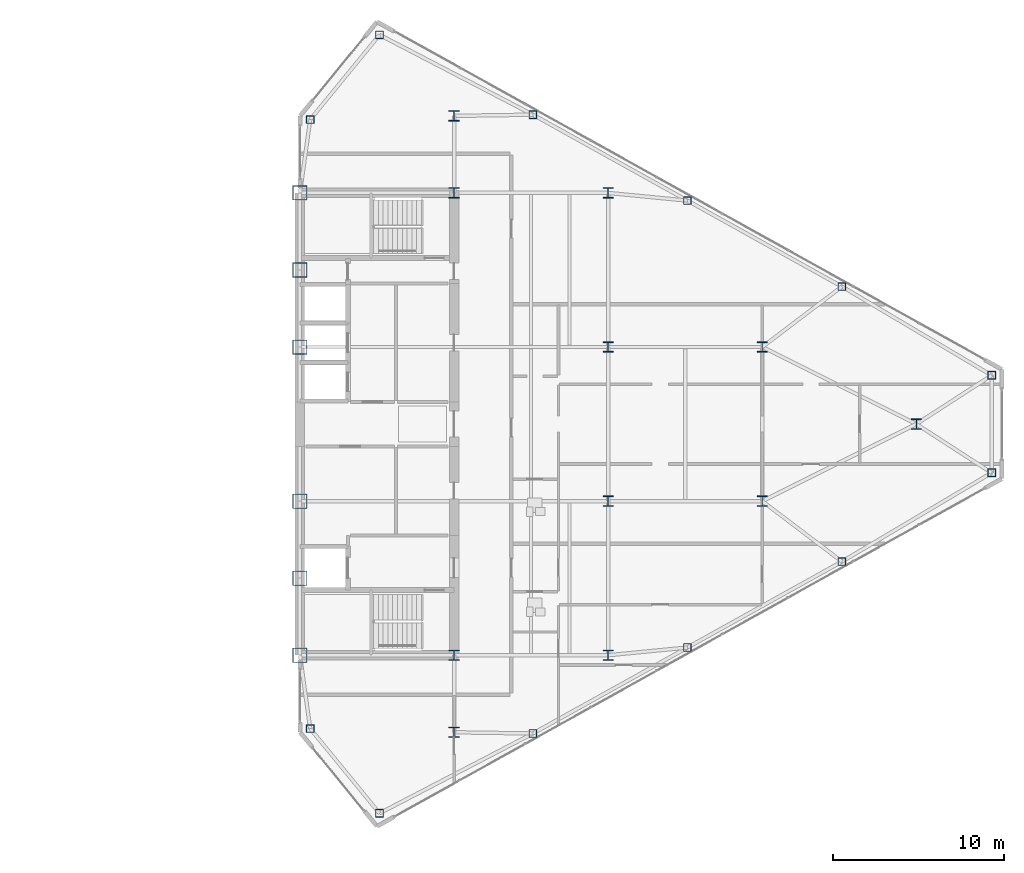
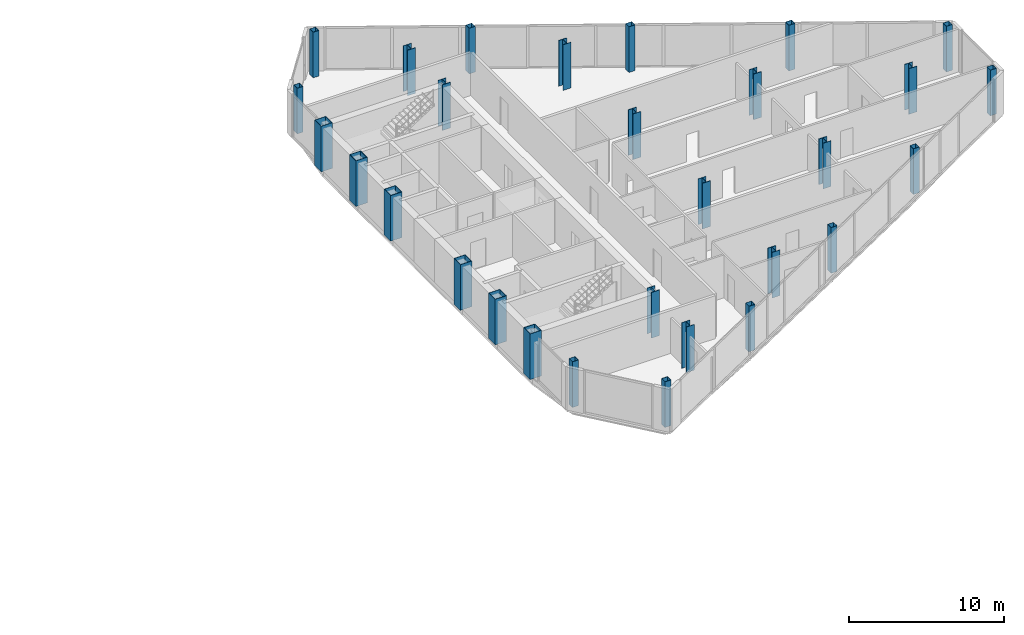
# One storey, part 2 of 26: 29 columns.
"""IFC4 building model written with IfcOpenShell, lengths in metres."""

from ifc_helpers import new_model, si_unit, direction, frame, origin, origin_2d, place, context, subcontext, project, spatial, hollow_rectangle, i_section, extrude, source, transform, mapped, material, material_profile, profile_set, type_object, type_shapes, element, save


model = new_model("IFC4")

# Units and contexts
model_context = context("Model", 3, precision=1e-05, world=origin(), true_north=direction((0.0, 1.0)))
body_context = subcontext(model_context, "Body", "Model", "MODEL_VIEW")
ifc_project = project(units=[si_unit("LENGTHUNIT", "METRE"), si_unit("AREAUNIT", "SQUARE_METRE"), si_unit("VOLUMEUNIT", "CUBIC_METRE"), si_unit("PLANEANGLEUNIT", "RADIAN"), si_unit("MASSUNIT", "GRAM", prefix="KILO")], contexts=[model_context])

# Site, building, storey
site_placement = place(None, origin())
site = spatial("IfcSite", under=ifc_project, at=site_placement, CompositionType="ELEMENT")
building_placement = place(site_placement, origin())
building = spatial("IfcBuilding", under=site, at=building_placement, Name="Seokmaru Belvedere", CompositionType="ELEMENT")
storey_placement = place(building_placement, frame((0.0, 0.0, 174.300048828125)))
storey = spatial("IfcBuildingStorey", under=building, at=storey_placement, Name="L46", CompositionType="ELEMENT", Elevation=174.300048828125)

# Columns
ifc_material_1 = material(Name="Steel SM355 (355 MPa)", Category="steel")
ifc_material_profile_1 = material_profile(ifc_material_1, hollow_rectangle(XDim=0.449951171875, YDim=0.449951171875, WallThickness=0.01806640625, at=origin_2d()), Name="HSS-450x450x18")
ifc_profile_set_1 = profile_set([ifc_material_profile_1], Name="Steel SM355 (355 MPa)")
column_type_1 = type_object("IfcColumnType", Name="Perimeter Facet Column HSS-450", PredefinedType="COLUMN", material=ifc_profile_set_1)
shared_shape_1 = source(origin(), body_context, "Body", "SweptSolid", [
    extrude(hollow_rectangle(XDim=0.449951171875, YDim=0.449951171875, WallThickness=0.01806640625, at=origin_2d()), origin(), (0.0, 0.0, 1.0), 3.599853515625),
])
type_shapes(column_type_1, [shared_shape_1])
for number, where, z_axis, x_axis, name in (
    (1, (32.146728515625, -22.731689453125, 0.0), (0.0, 0.0, 1.0), (1.0, 0.0, 0.0), "L46 Column EF1"),
    (2, (67.89990234375, -2.84716796875, 0.0), (0.0, 0.0, 1.0), (1.0, 0.0, 0.0), "L46 Column EF2"),
    (3, (67.89990234375, 2.84716796875, 0.0), (0.0, 0.0, 1.0), (1.0, 0.0, 0.0), "L46 Column EF3"),
    (4, (32.146728515625, 22.731689453125, 0.0), (0.0, 0.0, 1.0), (1.0, 0.0, 0.0), "L46 Column EF4"),
    (5, (28.10009765625, 17.785888671875, 0.0), (0.0, 0.0, 1.0), (1.0, 0.0, 0.0), "L46 Column EF5"),
    (6, (28.10009765625, -17.785888671875, 0.0), (0.0, 0.0, 1.0), (1.0, 0.0, 0.0), "L46 Column EF6"),
    (7, (41.103759765625, -18.07080078125, 0.0), (0.0, 0.0, 1.0), (1.0, 0.0, 0.0), "L46 Column EFLK_S1"),
    (8, (50.129150390625, -13.051025390625, 0.0), (0.0, 0.0, 1.0), (1.0, 0.0, 0.0), "L46 Column EFLK_S2"),
    (9, (59.154541015625, -8.031494140625, 0.0), (0.0, 0.0, 1.0), (1.0, 0.0, 0.0), "L46 Column EFLK_S3"),
    (10, (41.103759765625, 18.07080078125, 0.0), (0.0, 0.0, 1.0), (1.0, 0.0, 0.0), "L46 Column EFLK_N1"),
    (11, (50.129150390625, 13.051025390625, 0.0), (0.0, 0.0, 1.0), (1.0, 0.0, 0.0), "L46 Column EFLK_N2"),
    (12, (59.154541015625, 8.031494140625, 0.0), (0.0, 0.0, 1.0), (1.0, 0.0, 0.0), "L46 Column EFLK_N3"),
):
    element("IfcColumn", number, at=place(storey_placement, frame(where, z_axis=z_axis, x_axis=x_axis)), inside=storey, type_object=column_type_1, Name=name, PredefinedType="COLUMN", context=body_context, shape_type="MappedRepresentation", body=[
        mapped(shared_shape_1, transform((0.0, 0.0, 0.0), scale=1.0)),
    ])
ifc_material_2 = material(Name="Steel HSA650 (650 MPa)", Category="steel")
ifc_material_profile_2 = material_profile(ifc_material_2, hollow_rectangle(XDim=0.85009765625, YDim=0.85009765625, WallThickness=0.035888671875, at=origin_2d()), Name="BOX-850x850x36")
ifc_profile_set_2 = profile_set([ifc_material_profile_2], Name="Steel HSA650 (650 MPa)")
column_type_2 = type_object("IfcColumnType", Name="Portal Spine Column BOX-850", PredefinedType="COLUMN", material=ifc_profile_set_2)
shared_shape_2 = source(origin(), body_context, "Body", "SweptSolid", [
    extrude(hollow_rectangle(XDim=0.85009765625, YDim=0.85009765625, WallThickness=0.035888671875, at=origin_2d()), origin(), (0.0, 0.0, 1.0), 3.599853515625),
])
type_shapes(column_type_2, [shared_shape_2])
for number, where, z_axis, x_axis, name in (
    (13, (27.5, -13.5, 0.0), (0.0, 0.0, 1.0), (1.0, 0.0, 0.0), "L46 Column ES1"),
    (14, (27.5, -9.0, 0.0), (0.0, 0.0, 1.0), (1.0, 0.0, 0.0), "L46 Column ES2"),
    (15, (27.5, -4.5, 0.0), (0.0, 0.0, 1.0), (1.0, 0.0, 0.0), "L46 Column ES3"),
    (16, (27.5, 4.5, 0.0), (0.0, 0.0, 1.0), (1.0, 0.0, 0.0), "L46 Column ES4"),
    (17, (27.5, 9.0, 0.0), (0.0, 0.0, 1.0), (1.0, 0.0, 0.0), "L46 Column ES5"),
    (18, (27.5, 13.5, 0.0), (0.0, 0.0, 1.0), (1.0, 0.0, 0.0), "L46 Column ES6"),
):
    element("IfcColumn", number, at=place(storey_placement, frame(where, z_axis=z_axis, x_axis=x_axis)), inside=storey, type_object=column_type_2, Name=name, PredefinedType="COLUMN", context=body_context, shape_type="MappedRepresentation", body=[
        mapped(shared_shape_2, transform((0.0, 0.0, 0.0), scale=1.0)),
    ])
ifc_material_profile_3 = material_profile(ifc_material_1, i_section(OverallWidth=0.60009765625, OverallDepth=0.60009765625, WebThickness=0.02490234375, FlangeThickness=0.0400390625, at=origin_2d()), Name="H-600x600x25x40")
ifc_profile_set_3 = profile_set([ifc_material_profile_3], Name="Steel SM355 (355 MPa)")
column_type_3 = type_object("IfcColumnType", Name="Upper-Mid Interior Column H-600", PredefinedType="COLUMN", material=ifc_profile_set_3)
shared_shape_3 = source(origin(), body_context, "Body", "SweptSolid", [
    extrude(i_section(OverallWidth=0.60009765625, OverallDepth=0.60009765625, WebThickness=0.02490234375, FlangeThickness=0.0400390625, at=origin_2d()), origin(), (0.0, 0.0, 1.0), 3.599853515625),
])
type_shapes(column_type_3, [shared_shape_3])
for number, where, z_axis, x_axis, name in (
    (19, (36.5, -18.0, 0.0), (0.0, 0.0, 1.0), (1.0, 0.0, 0.0), "L46 Column EC1"),
    (20, (36.5, -13.5, 0.0), (0.0, 0.0, 1.0), (1.0, 0.0, 0.0), "L46 Column EC2"),
    (21, (36.5, 13.5, 0.0), (0.0, 0.0, 1.0), (1.0, 0.0, 0.0), "L46 Column EC3"),
    (22, (36.5, 18.0, 0.0), (0.0, 0.0, 1.0), (1.0, 0.0, 0.0), "L46 Column EC4"),
    (23, (45.5, -13.5, 0.0), (0.0, 0.0, 1.0), (1.0, 0.0, 0.0), "L46 Column EG5_1"),
    (24, (45.5, -4.5, 0.0), (0.0, 0.0, 1.0), (1.0, 0.0, 0.0), "L46 Column EG5_2"),
    (25, (45.5, 4.5, 0.0), (0.0, 0.0, 1.0), (1.0, 0.0, 0.0), "L46 Column EG5_3"),
    (26, (45.5, 13.5, 0.0), (0.0, 0.0, 1.0), (1.0, 0.0, 0.0), "L46 Column EG5_4"),
    (27, (54.5, -4.5, 0.0), (0.0, 0.0, 1.0), (1.0, 0.0, 0.0), "L46 Column EG4P_1"),
    (28, (54.5, 4.5, 0.0), (0.0, 0.0, 1.0), (1.0, 0.0, 0.0), "L46 Column EG4P_2"),
    (29, (63.5, 0.0, 0.0), (0.0, 0.0, 1.0), (1.0, 0.0, 0.0), "L46 Column EG3P_1"),
):
    element("IfcColumn", number, at=place(storey_placement, frame(where, z_axis=z_axis, x_axis=x_axis)), inside=storey, type_object=column_type_3, Name=name, PredefinedType="COLUMN", context=body_context, shape_type="MappedRepresentation", body=[
        mapped(shared_shape_3, transform((0.0, 0.0, 0.0), scale=1.0)),
    ])

save(model, "model.ifc")
